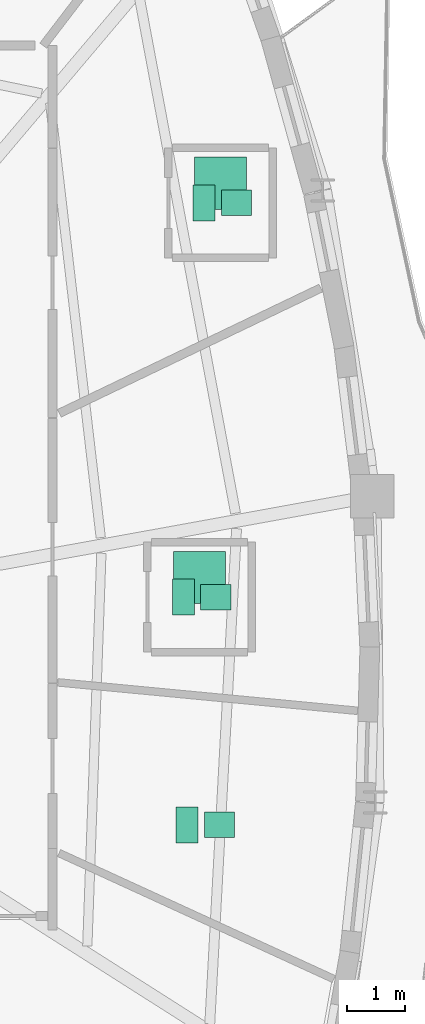
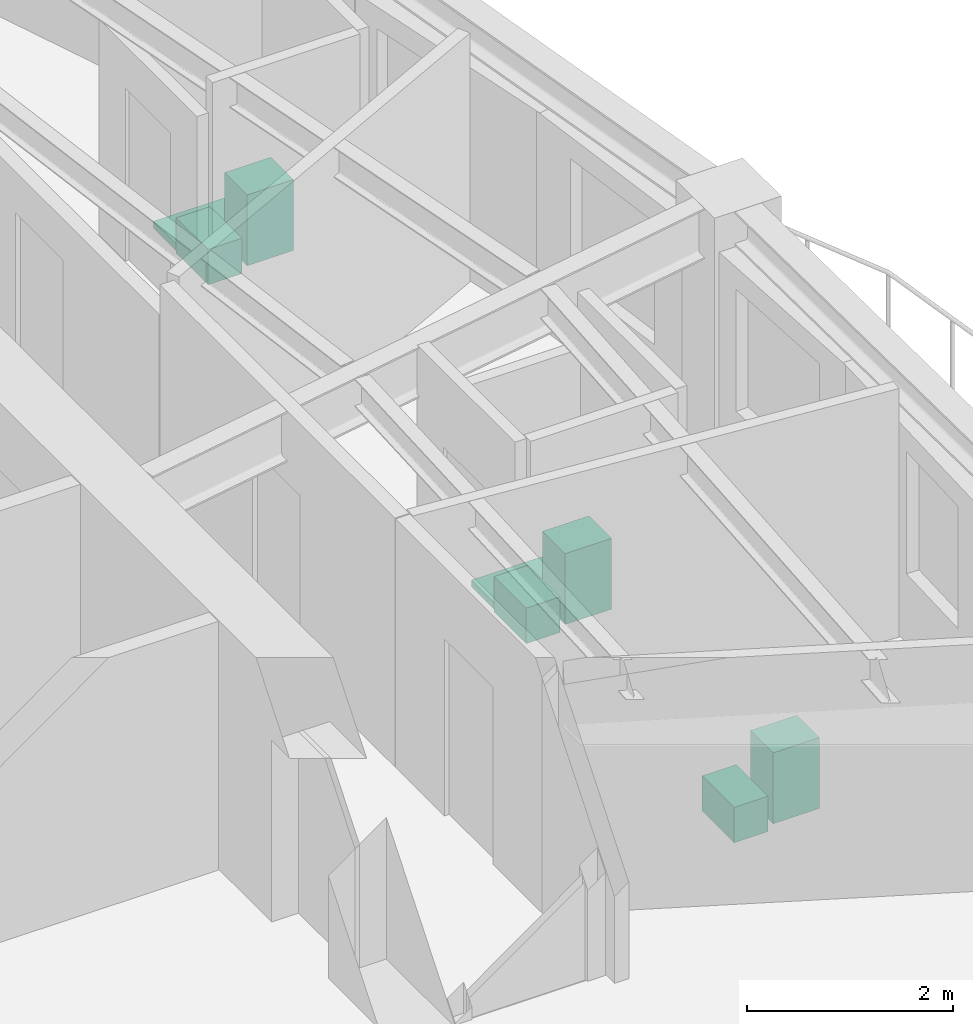
# One storey, part 12 of 12: 8 sanitary terminals.
"""IFC4 building model written with IfcOpenShell, lengths in metres."""

from ifc_helpers import new_model, si_unit, direction, frame, origin, origin_2d, place, context, subcontext, project, spatial, rectangle, extrude, source, transform, mapped, material, type_object, element, save


model = new_model("IFC4")

# Units and contexts
model_context = context("Model", 3, precision=1e-05, world=origin(), true_north=direction((0.0, 1.0)))
body_context = subcontext(model_context, "Body", "Model", "MODEL_VIEW")
ifc_project = project(units=[si_unit("LENGTHUNIT", "METRE"), si_unit("AREAUNIT", "SQUARE_METRE"), si_unit("VOLUMEUNIT", "CUBIC_METRE"), si_unit("PLANEANGLEUNIT", "RADIAN"), si_unit("MASSUNIT", "GRAM", prefix="KILO")], contexts=[model_context])

# Site, building, storey
site_placement = place(None, origin())
site = spatial("IfcSite", under=ifc_project, at=site_placement, CompositionType="ELEMENT")
building_placement = place(site_placement, origin())
building = spatial("IfcBuilding", under=site, at=building_placement, Name="Qafzar Sky-Pleat Residences", CompositionType="ELEMENT")
storey_placement = place(building_placement, frame((0.0, 0.0, 142.60009765625)))
storey = spatial("IfcBuildingStorey", under=building, at=storey_placement, Name="L42", CompositionType="ELEMENT", Elevation=142.60009765625)

# Sanitary terminals
ifc_material_1 = material(Name="Vitreous china sanitaryware")
sanitary_terminal_type_1 = type_object("IfcSanitaryTerminalType", Name="SAN-WC-PAN", PredefinedType="TOILETPAN", material=ifc_material_1)
shared_shape_1 = source(origin(), body_context, "Body", "SweptSolid", [
    extrude(rectangle(XDim=0.3798828125, YDim=0.6201171875, at=origin_2d()), origin(), (0.0, 0.0, 1.0), 0.419921875),
])
for number, where, z_axis, x_axis, name in (
    (1, (40.650634765625, 22.774169921875, 0.0), (0.0, 0.0, 1.0), (1.0, 0.0, 0.0), "L42 Accessible Shared Washroom WC Pan"),
    (2, (40.587890625, 26.70703125, 0.0), (0.0, 0.0, 1.0), (1.0, 0.0, 0.0), "L42 En-suite Bathroom 1 WC Pan"),
    (3, (40.949951171875, 33.513916015625, 0.0), (0.0, 0.0, 1.0), (1.0, 0.0, 0.0), "L42 En-suite Bathroom 2 WC Pan"),
):
    element("IfcSanitaryTerminal", number, at=place(storey_placement, frame(where, z_axis=z_axis, x_axis=x_axis)), inside=storey, type_object=sanitary_terminal_type_1, Name=name, PredefinedType="TOILETPAN", context=body_context, shape_type="MappedRepresentation", body=[
        mapped(shared_shape_1, transform((0.0, 0.0, 0.0), x_axis=(1.0, 0.0, 0.0), y_axis=(0.0, 1.0, 0.0), z_axis=(0.0, 0.0, 1.0), scale=1.0)),
    ])
sanitary_terminal_type_2 = type_object("IfcSanitaryTerminalType", Name="SAN-BASIN", PredefinedType="WASHHANDBASIN", material=ifc_material_1)
shared_shape_2 = source(origin(), body_context, "Body", "SweptSolid", [
    extrude(rectangle(XDim=0.52001953125, YDim=0.43994140625, at=origin_2d()), origin(), (0.0, 0.0, 1.0), 0.840087890625),
])
for number, where, z_axis, x_axis, name in (
    (4, (41.210693359375, 22.774169921875, 0.0), (0.0, 0.0, 1.0), (1.0, 0.0, 0.0), "L42 Accessible Shared Washroom Pedestal Washbasin"),
    (5, (41.14794921875, 26.70703125, 0.0), (0.0, 0.0, 1.0), (1.0, 0.0, 0.0), "L42 En-suite Bathroom 1 Pedestal Washbasin"),
    (6, (41.510009765625, 33.513916015625, 0.0), (0.0, 0.0, 1.0), (1.0, 0.0, 0.0), "L42 En-suite Bathroom 2 Pedestal Washbasin"),
):
    element("IfcSanitaryTerminal", number, at=place(storey_placement, frame(where, z_axis=z_axis, x_axis=x_axis)), inside=storey, type_object=sanitary_terminal_type_2, Name=name, PredefinedType="WASHHANDBASIN", context=body_context, shape_type="MappedRepresentation", body=[
        mapped(shared_shape_2, transform((0.0, 0.0, 0.0), x_axis=(1.0, 0.0, 0.0), y_axis=(0.0, 1.0, 0.0), z_axis=(0.0, 0.0, 1.0), scale=1.0)),
    ])
ifc_material_2 = material(Name="Vitreous china and acrylic tray")
sanitary_terminal_type_3 = type_object("IfcSanitaryTerminalType", Name="SAN-SHOWER", PredefinedType="SHOWER", material=ifc_material_2)
shared_shape_3 = source(origin(), body_context, "Body", "SweptSolid", [
    extrude(rectangle(XDim=0.89990234375, YDim=0.89990234375, at=origin_2d()), origin(), (0.0, 0.0, 1.0), 0.080078125),
])
for number, where, z_axis, x_axis, name in (
    (7, (40.867919921875, 27.047119140625, -0.000244140625), (0.0, 0.0, 1.0), (1.0, 0.0, 0.0), "L42 En-suite Bathroom 1 Walk-In Shower"),
    (8, (41.22998046875, 33.85400390625, -0.000244140625), (0.0, 0.0, 1.0), (1.0, 0.0, 0.0), "L42 En-suite Bathroom 2 Walk-In Shower"),
):
    element("IfcSanitaryTerminal", number, at=place(storey_placement, frame(where, z_axis=z_axis, x_axis=x_axis)), inside=storey, type_object=sanitary_terminal_type_3, Name=name, PredefinedType="SHOWER", context=body_context, shape_type="MappedRepresentation", body=[
        mapped(shared_shape_3, transform((0.0, 0.0, 0.0), x_axis=(1.0, 0.0, 0.0), y_axis=(0.0, 1.0, 0.0), z_axis=(0.0, 0.0, 1.0), scale=1.0)),
    ])

save(model, "model.ifc")
